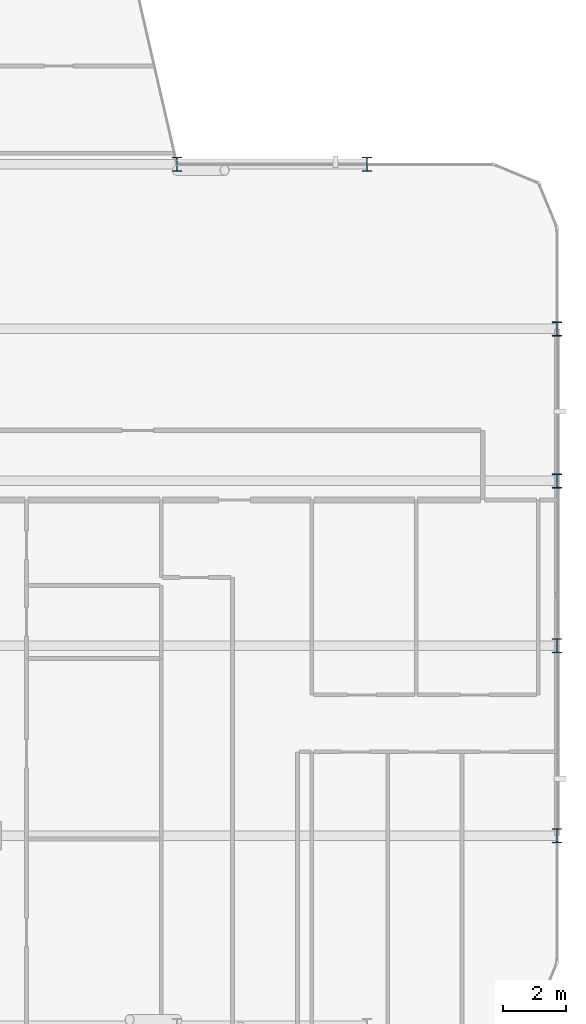
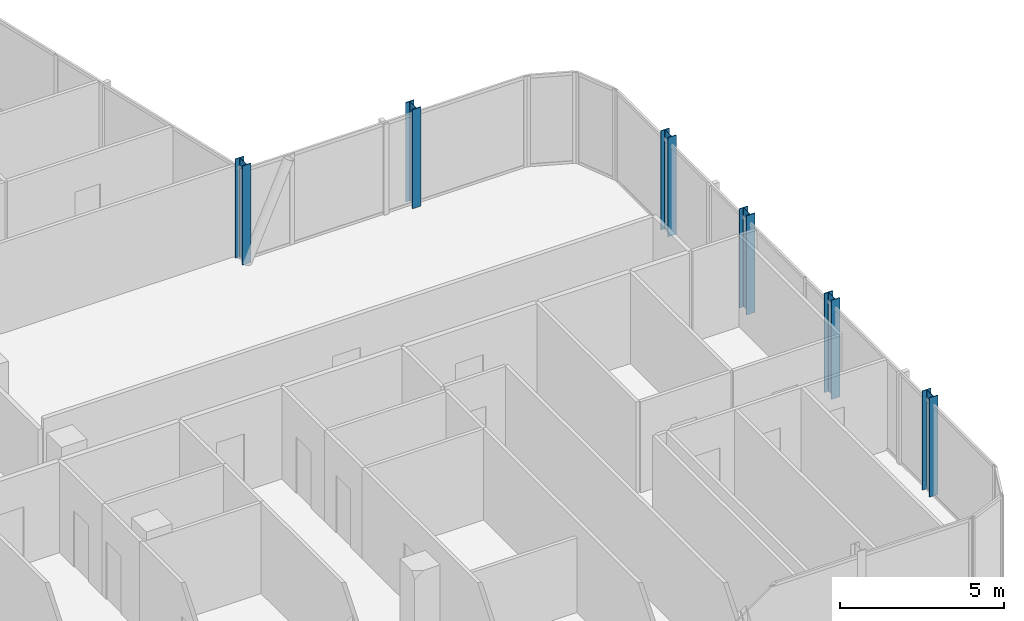
# One storey, part 2 of 29: 6 columns.
"""IFC4 building model written with IfcOpenShell, lengths in metres."""

from ifc_helpers import new_model, si_unit, direction, frame, origin, origin_2d, place, context, subcontext, project, spatial, i_section, extrude, material, material_profile, profile_set, type_object, element, save


model = new_model("IFC4")

# Units and contexts
model_context = context("Model", 3, precision=1e-05, world=origin(), true_north=direction((0.0, 1.0)))
body_context = subcontext(model_context, "Body", "Model", "MODEL_VIEW")
ifc_project = project(units=[si_unit("LENGTHUNIT", "METRE"), si_unit("AREAUNIT", "SQUARE_METRE"), si_unit("VOLUMEUNIT", "CUBIC_METRE"), si_unit("PLANEANGLEUNIT", "RADIAN"), si_unit("MASSUNIT", "GRAM", prefix="KILO")], contexts=[model_context])

# Site, building, storey
site_placement = place(None, origin())
site = spatial("IfcSite", under=ifc_project, at=site_placement, CompositionType="ELEMENT")
building_placement = place(site_placement, origin())
building = spatial("IfcBuilding", under=site, at=building_placement, Name="Keshet Zoharim Tower", CompositionType="ELEMENT")
storey_placement = place(building_placement, frame((0.0, 0.0, 195.800048828125)))
storey = spatial("IfcBuildingStorey", under=building, at=storey_placement, Name="L48", CompositionType="ELEMENT", Elevation=195.800048828125)

# Columns
ifc_material = material(Name="Steel S355", Category="steel")
ifc_material_profile = material_profile(ifc_material, i_section(OverallWidth=0.300048828125, OverallDepth=0.449951171875, WebThickness=0.013916015625, FlangeThickness=0.02587890625, FilletRadius=0.027099609375, at=origin_2d()), Name="HEB450")
ifc_profile_set = profile_set([ifc_material_profile], Name="Steel S355")
column_type = type_object("IfcColumnType", Name="COL-HEB450", PredefinedType="COLUMN", material=ifc_profile_set)
for number, where, z_axis, x_axis, name in (
    (1, (45.0, 27.89990234375, 0.0), (0.0, 0.0, 1.0), (1.0, 0.0, 0.0), "L48 Column 8F"),
    (2, (51.0, 27.89990234375, 0.0), (0.0, 0.0, 1.0), (1.0, 0.0, 0.0), "L48 Column 9F"),
    (3, (57.0, 6.699951171875, 0.0), (0.0, 0.0, 1.0), (1.0, 0.0, 0.0), "L48 Column 10B"),
    (4, (57.0, 12.699951171875, 0.0), (0.0, 0.0, 1.0), (1.0, 0.0, 0.0), "L48 Column 10C"),
    (5, (57.0, 17.89990234375, 0.0), (0.0, 0.0, 1.0), (1.0, 0.0, 0.0), "L48 Column 10D"),
    (6, (57.0, 22.699951171875, 0.0), (0.0, 0.0, 1.0), (1.0, 0.0, 0.0), "L48 Column 10E"),
):
    element("IfcColumn", number, at=place(storey_placement, frame(where, z_axis=z_axis, x_axis=x_axis)), inside=storey, type_object=column_type, Name=name, PredefinedType="COLUMN", context=body_context, shape_type="SweptSolid", body=[
        extrude(i_section(OverallWidth=0.300048828125, OverallDepth=0.449951171875, WebThickness=0.013916015625, FlangeThickness=0.02587890625, FilletRadius=0.027099609375, at=origin_2d()), origin(), (0.0, 0.0, 1.0), 3.699951171875),
    ])

save(model, "model.ifc")
